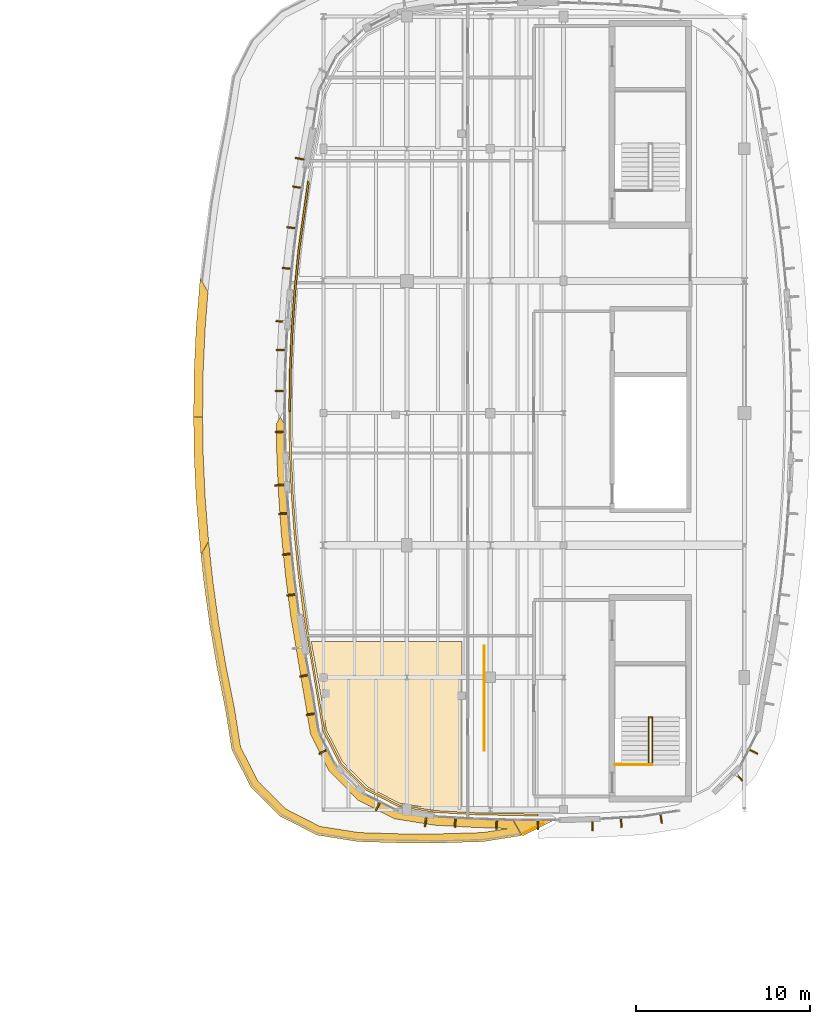
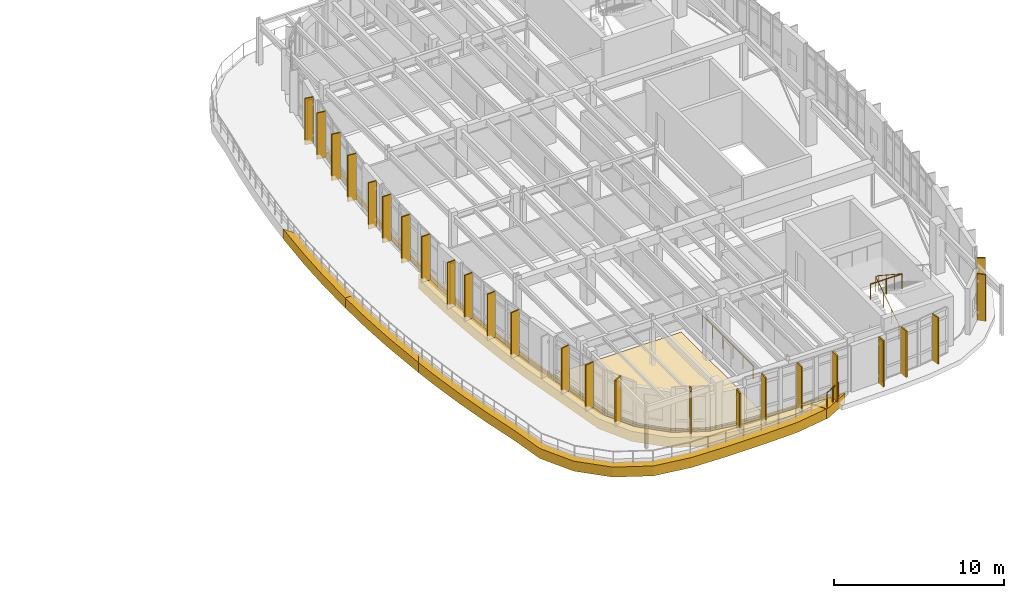
# One storey, part 27 of 30: 33 coverings, 6 shading devices, 4 railings.
"""IFC4 building model written with IfcOpenShell, lengths in metres."""

from ifc_helpers import new_model, si_unit, direction, frame, origin, origin_2d, place, context, subcontext, project, spatial, polyline, rectangle, circle, outline, extrude, material, layer, layer_set, type_object, element, save


model = new_model("IFC4")

# Units and contexts
model_context = context("Model", 3, precision=1e-05, world=origin(), true_north=direction((0.0, 1.0)))
body_context = subcontext(model_context, "Body", "Model", "MODEL_VIEW")
ifc_project = project(units=[si_unit("LENGTHUNIT", "METRE"), si_unit("AREAUNIT", "SQUARE_METRE"), si_unit("VOLUMEUNIT", "CUBIC_METRE"), si_unit("PLANEANGLEUNIT", "RADIAN"), si_unit("MASSUNIT", "GRAM", prefix="KILO")], contexts=[model_context])

# Site, building, storey
site_placement = place(None, origin())
site = spatial("IfcSite", under=ifc_project, at=site_placement, CompositionType="ELEMENT")
building_placement = place(site_placement, origin())
building = spatial("IfcBuilding", under=site, at=building_placement, Name="Corveleigh Park Community Centre", CompositionType="ELEMENT")
storey_placement = place(building_placement, frame((0.0, 0.0, 12.60009765625)))
storey = spatial("IfcBuildingStorey", under=building, at=storey_placement, Name="L03", CompositionType="ELEMENT", Elevation=12.60009765625)

# Coverings
ifc_material_1 = material(Name="Warm buff ribbed architectural cladding", Category="masonry")
ifc_layer_1 = layer(ifc_material_1, 0.0849609375, Name="Warm buff ribbed architectural cladding", Category="masonry")
ifc_layer_set_1 = layer_set([ifc_layer_1], Name="Warm buff ribbed architectural cladding")
covering_type_1 = type_object("IfcCoveringType", Name="COV-CLD-BUF", PredefinedType="CLADDING", material=ifc_layer_set_1)
covering_1_placement = place(storey_placement, origin())
element("IfcCovering", 1, at=covering_1_placement, inside=storey, type_object=covering_type_1, Name="V4 L03 Brise-soleil blade 429", PredefinedType="CLADDING", context=body_context, shape_type="SweptSolid", body=[
    extrude(outline(polyline([(151.8359375, 58.14990234375), (151.7509765625, 58.155029296875), (151.718017578125, 57.575927734375), (151.802978515625, 57.571044921875), (151.8359375, 58.14990234375)])), origin(), (0.0, 0.0, 1.0), 3.3369140625),
])
covering_2_placement = place(storey_placement, origin())
element("IfcCovering", 2, at=covering_2_placement, inside=storey, type_object=covering_type_1, Name="V4 L03 Brise-soleil blade 430", PredefinedType="CLADDING", context=body_context, shape_type="SweptSolid", body=[
    extrude(outline(polyline([(154.2119140625, 58.050048828125), (154.126953125, 58.052001953125), (154.110107421875, 57.471923828125), (154.195068359375, 57.469970703125), (154.2119140625, 58.050048828125)])), origin(), (0.0, 0.0, 1.0), 3.3369140625),
])
covering_3_placement = place(storey_placement, origin())
element("IfcCovering", 3, at=covering_3_placement, inside=storey, type_object=covering_type_1, Name="V4 L03 Brise-soleil blade 431", PredefinedType="CLADDING", context=body_context, shape_type="SweptSolid", body=[
    extrude(outline(polyline([(156.593017578125, 58.01708984375), (156.508056640625, 58.01708984375), (156.508056640625, 57.43701171875), (156.593017578125, 57.43701171875), (156.593017578125, 58.01708984375)])), origin(), (0.0, 0.0, 1.0), 3.3369140625),
])
covering_4_placement = place(storey_placement, origin())
element("IfcCovering", 4, at=covering_4_placement, inside=storey, type_object=covering_type_1, Name="V4 L03 Brise-soleil blade 432", PredefinedType="CLADDING", context=body_context, shape_type="SweptSolid", body=[
    extrude(outline(polyline([(159.7099609375, 57.91796875), (159.625, 57.916015625), (159.639892578125, 57.381103515625), (159.72509765625, 57.384033203125), (159.7099609375, 57.91796875)])), origin(), (0.0, 0.0, 1.0), 3.35693359375),
])
covering_5_placement = place(storey_placement, origin())
element("IfcCovering", 5, at=covering_5_placement, inside=storey, type_object=covering_type_1, Name="V4 L03 Brise-soleil blade 433", PredefinedType="CLADDING", context=body_context, shape_type="SweptSolid", body=[
    extrude(outline(polyline([(161.34912109375, 58.155029296875), (161.263916015625, 58.14990234375), (161.297119140625, 57.571044921875), (161.382080078125, 57.575927734375), (161.34912109375, 58.155029296875)])), origin(), (0.0, 0.0, 1.0), 3.35693359375),
])
covering_6_placement = place(storey_placement, origin())
element("IfcCovering", 6, at=covering_6_placement, inside=storey, type_object=covering_type_1, Name="V4 L03 Brise-soleil blade 434", PredefinedType="CLADDING", context=body_context, shape_type="SweptSolid", body=[
    extrude(outline(polyline([(163.60888671875, 58.39599609375), (163.52490234375, 58.383056640625), (163.615966796875, 57.81005859375), (163.699951171875, 57.822998046875), (163.60888671875, 58.39599609375)])), origin(), (0.0, 0.0, 1.0), 3.35693359375),
])
covering_7_placement = place(storey_placement, origin())
element("IfcCovering", 7, at=covering_7_placement, inside=storey, type_object=covering_type_1, Name="V4 L03 Brise-soleil blade 435", PredefinedType="CLADDING", context=body_context, shape_type="SweptSolid", body=[
    extrude(outline(polyline([(167.943115234375, 60.675048828125), (167.883056640625, 60.614990234375), (168.261962890625, 60.237060546875), (168.322021484375, 60.297119140625), (167.943115234375, 60.675048828125)])), origin(), (0.0, 0.0, 1.0), 3.35693359375),
])
covering_8_placement = place(storey_placement, origin())
element("IfcCovering", 8, at=covering_8_placement, inside=storey, type_object=covering_type_1, Name="V4 L03 Brise-soleil blade 436", PredefinedType="CLADDING", context=body_context, shape_type="SweptSolid", body=[
    extrude(outline(polyline([(168.660888671875, 62.10791015625), (168.623046875, 62.032958984375), (169.139892578125, 61.76904296875), (169.177978515625, 61.844970703125), (168.660888671875, 62.10791015625)])), origin(), (0.0, 0.0, 1.0), 3.35693359375),
])
covering_9_placement = place(storey_placement, origin())
element("IfcCovering", 9, at=covering_9_placement, inside=storey, type_object=covering_type_1, Name="V4 L03 Brise-soleil blade 465", PredefinedType="CLADDING", context=body_context, shape_type="SweptSolid", body=[
    extrude(outline(polyline([(143.093994140625, 95.93408203125), (143.110107421875, 96.01806640625), (142.583984375, 96.115966796875), (142.568115234375, 96.031982421875), (143.093994140625, 95.93408203125)])), origin(), (0.0, 0.0, 1.0), 3.3369140625),
])
covering_10_placement = place(storey_placement, origin())
element("IfcCovering", 10, at=covering_10_placement, inside=storey, type_object=covering_type_1, Name="V4 L03 Brise-soleil blade 466", PredefinedType="CLADDING", context=body_context, shape_type="SweptSolid", body=[
    extrude(outline(polyline([(143.0009765625, 94.29296875), (143.013916015625, 94.376953125), (142.44091796875, 94.468017578125), (142.427978515625, 94.384033203125), (143.0009765625, 94.29296875)])), origin(), (0.0, 0.0, 1.0), 3.3369140625),
])
covering_11_placement = place(storey_placement, origin())
element("IfcCovering", 11, at=covering_11_placement, inside=storey, type_object=covering_type_1, Name="V4 L03 Brise-soleil blade 467", PredefinedType="CLADDING", context=body_context, shape_type="SweptSolid", body=[
    extrude(outline(polyline([(142.669921875, 91.97412109375), (142.680908203125, 92.05810546875), (142.10595703125, 92.132080078125), (142.094970703125, 92.048095703125), (142.669921875, 91.97412109375)])), origin(), (0.0, 0.0, 1.0), 3.3369140625),
])
covering_12_placement = place(storey_placement, origin())
element("IfcCovering", 12, at=covering_12_placement, inside=storey, type_object=covering_type_1, Name="V4 L03 Brise-soleil blade 468", PredefinedType="CLADDING", context=body_context, shape_type="SweptSolid", body=[
    extrude(outline(polyline([(142.406005859375, 89.64501953125), (142.4150390625, 89.72998046875), (141.8369140625, 89.787109375), (141.8291015625, 89.702880859375), (142.406005859375, 89.64501953125)])), origin(), (0.0, 0.0, 1.0), 3.3369140625),
])
covering_13_placement = place(storey_placement, origin())
element("IfcCovering", 13, at=covering_13_placement, inside=storey, type_object=covering_type_1, Name="V4 L03 Brise-soleil blade 469", PredefinedType="CLADDING", context=body_context, shape_type="SweptSolid", body=[
    extrude(outline(polyline([(142.0029296875, 86.610107421875), (142.009033203125, 86.695068359375), (141.47509765625, 86.73193359375), (141.468994140625, 86.64794921875), (142.0029296875, 86.610107421875)])), origin(), (0.0, 0.0, 1.0), 3.3369140625),
])
covering_14_placement = place(storey_placement, origin())
element("IfcCovering", 14, at=covering_14_placement, inside=storey, type_object=covering_type_1, Name="V4 L03 Brise-soleil blade 470", PredefinedType="CLADDING", context=body_context, shape_type="SweptSolid", body=[
    extrude(outline(polyline([(142.075927734375, 84.970947265625), (142.080078125, 85.055908203125), (141.5, 85.0810546875), (141.4970703125, 84.99609375), (142.075927734375, 84.970947265625)])), origin(), (0.0, 0.0, 1.0), 3.3369140625),
])
covering_15_placement = place(storey_placement, origin())
element("IfcCovering", 15, at=covering_15_placement, inside=storey, type_object=covering_type_1, Name="V4 L03 Brise-soleil blade 471", PredefinedType="CLADDING", context=body_context, shape_type="SweptSolid", body=[
    extrude(outline(polyline([(142.010986328125, 82.62890625), (142.011962890625, 82.714111328125), (141.431884765625, 82.721923828125), (141.430908203125, 82.636962890625), (142.010986328125, 82.62890625)])), origin(), (0.0, 0.0, 1.0), 3.3369140625),
])
covering_16_placement = place(storey_placement, origin())
element("IfcCovering", 16, at=covering_16_placement, inside=storey, type_object=covering_type_1, Name="V4 L03 Brise-soleil blade 472", PredefinedType="CLADDING", context=body_context, shape_type="SweptSolid", body=[
    extrude(outline(polyline([(142.011962890625, 80.285888671875), (142.010986328125, 80.37109375), (141.430908203125, 80.363037109375), (141.431884765625, 80.278076171875), (142.011962890625, 80.285888671875)])), origin(), (0.0, 0.0, 1.0), 3.3369140625),
])
covering_17_placement = place(storey_placement, origin())
element("IfcCovering", 17, at=covering_17_placement, inside=storey, type_object=covering_type_1, Name="V4 L03 Brise-soleil blade 473", PredefinedType="CLADDING", context=body_context, shape_type="SweptSolid", body=[
    extrude(outline(polyline([(141.946044921875, 77.22509765625), (141.94189453125, 77.31005859375), (141.406982421875, 77.287109375), (141.410888671875, 77.201904296875), (141.946044921875, 77.22509765625)])), origin(), (0.0, 0.0, 1.0), 3.3369140625),
])
covering_18_placement = place(storey_placement, origin())
element("IfcCovering", 18, at=covering_18_placement, inside=storey, type_object=covering_type_1, Name="V4 L03 Brise-soleil blade 474", PredefinedType="CLADDING", context=body_context, shape_type="SweptSolid", body=[
    extrude(outline(polyline([(142.214111328125, 75.60498046875), (142.2080078125, 75.68994140625), (141.62890625, 75.64892578125), (141.635009765625, 75.56396484375), (142.214111328125, 75.60498046875)])), origin(), (0.0, 0.0, 1.0), 3.3369140625),
])
covering_19_placement = place(storey_placement, origin())
element("IfcCovering", 19, at=covering_19_placement, inside=storey, type_object=covering_type_1, Name="V4 L03 Brise-soleil blade 475", PredefinedType="CLADDING", context=body_context, shape_type="SweptSolid", body=[
    extrude(outline(polyline([(142.4150390625, 73.27001953125), (142.406005859375, 73.35498046875), (141.8291015625, 73.297119140625), (141.8369140625, 73.212890625), (142.4150390625, 73.27001953125)])), origin(), (0.0, 0.0, 1.0), 3.3369140625),
])
covering_20_placement = place(storey_placement, origin())
element("IfcCovering", 20, at=covering_20_placement, inside=storey, type_object=covering_type_1, Name="V4 L03 Brise-soleil blade 476", PredefinedType="CLADDING", context=body_context, shape_type="SweptSolid", body=[
    extrude(outline(polyline([(142.680908203125, 70.94189453125), (142.669921875, 71.02587890625), (142.094970703125, 70.951904296875), (142.10595703125, 70.867919921875), (142.680908203125, 70.94189453125)])), origin(), (0.0, 0.0, 1.0), 3.3369140625),
])
covering_21_placement = place(storey_placement, origin())
element("IfcCovering", 21, at=covering_21_placement, inside=storey, type_object=covering_type_1, Name="V4 L03 Brise-soleil blade 478", PredefinedType="CLADDING", context=body_context, shape_type="SweptSolid", body=[
    extrude(outline(polyline([(143.412109375, 66.31396484375), (143.39697265625, 66.39697265625), (142.826904296875, 66.291015625), (142.842041015625, 66.2080078125), (143.412109375, 66.31396484375)])), origin(), (0.0, 0.0, 1.0), 3.3369140625),
])
covering_22_placement = place(storey_placement, origin())
element("IfcCovering", 22, at=covering_22_placement, inside=storey, type_object=covering_type_1, Name="V4 L03 Brise-soleil blade 479", PredefinedType="CLADDING", context=body_context, shape_type="SweptSolid", body=[
    extrude(outline(polyline([(143.794921875, 64.093994140625), (143.781982421875, 64.177978515625), (143.208984375, 64.0869140625), (143.222900390625, 64.0029296875), (143.794921875, 64.093994140625)])), origin(), (0.0, 0.0, 1.0), 3.3369140625),
])
covering_23_placement = place(storey_placement, origin())
element("IfcCovering", 23, at=covering_23_placement, inside=storey, type_object=covering_type_1, Name="V4 L03 Brise-soleil blade 480", PredefinedType="CLADDING", context=body_context, shape_type="SweptSolid", body=[
    extrude(outline(polyline([(144.47705078125, 62.032958984375), (144.43896484375, 62.10791015625), (143.922119140625, 61.844970703125), (143.9599609375, 61.76904296875), (144.47705078125, 62.032958984375)])), origin(), (0.0, 0.0, 1.0), 3.3369140625),
])
covering_24_placement = place(storey_placement, origin())
element("IfcCovering", 24, at=covering_24_placement, inside=storey, type_object=covering_type_1, Name="V4 L03 Brise-soleil blade 481", PredefinedType="CLADDING", context=body_context, shape_type="SweptSolid", body=[
    extrude(outline(polyline([(147.508056640625, 59.0390625), (147.43310546875, 59.076904296875), (147.1689453125, 58.56005859375), (147.2451171875, 58.52197265625), (147.508056640625, 59.0390625)])), origin(), (0.0, 0.0, 1.0), 3.3369140625),
])
covering_25_placement = place(storey_placement, origin())
element("IfcCovering", 25, at=covering_25_placement, inside=storey, type_object=covering_type_1, Name="V4 L03 Brise-soleil blade 482", PredefinedType="CLADDING", context=body_context, shape_type="SweptSolid", body=[
    extrude(outline(polyline([(150.159912109375, 58.133056640625), (150.075927734375, 58.14697265625), (149.992919921875, 57.617919921875), (150.076904296875, 57.60498046875), (150.159912109375, 58.133056640625)])), origin(), (0.0, 0.0, 1.0), 2.7919921875),
])
ifc_material_2 = material(Name="White architectural fascia cladding", Category="masonry")
ifc_layer_2 = layer(ifc_material_2, 0.074951171875, Name="White architectural fascia cladding", Category="masonry")
ifc_layer_set_2 = layer_set([ifc_layer_2], Name="White architectural fascia cladding")
covering_type_2 = type_object("IfcCoveringType", Name="COV-CLD-WHT", PredefinedType="CLADDING", material=ifc_layer_set_2)
covering_26_placement = place(storey_placement, frame((0.0, 0.0, -0.68017578125)))
element("IfcCovering", 26, at=covering_26_placement, inside=storey, type_object=covering_type_2, Name="Step 3 Craft and Study Terrace Sweeping White Edge Band 2", PredefinedType="CLADDING", context=body_context, shape_type="SweptSolid", body=[
    extrude(outline(polyline([(136.73388671875, 81.174072265625), (136.76904296875, 83.847900390625), (136.881103515625, 86.29296875), (137.112060546875, 89.14404296875), (137.56201171875, 88.366943359375), (137.39990234375, 86.261962890625), (137.2890625, 83.83203125), (137.2548828125, 81.174072265625), (136.73388671875, 81.174072265625)])), origin(), (0.0, 0.0, 1.0), 0.719970703125),
])
covering_27_placement = place(storey_placement, frame((0.0, 0.0, -0.68017578125)))
element("IfcCovering", 27, at=covering_27_placement, inside=storey, type_object=covering_type_2, Name="Step 3 Craft and Study Terrace Sweeping White Edge Band 3", PredefinedType="CLADDING", context=body_context, shape_type="SweptSolid", body=[
    extrude(outline(polyline([(137.154052734375, 73.27099609375), (136.881103515625, 76.507080078125), (136.76904296875, 78.950927734375), (136.735107421875, 81.1689453125), (137.2548828125, 81.169921875), (137.2890625, 78.968017578125), (137.39990234375, 76.5380859375), (137.594970703125, 74.033935546875), (137.154052734375, 73.27099609375)])), origin(), (0.0, 0.0, 1.0), 0.719970703125),
])
covering_28_placement = place(storey_placement, frame((0.0, 0.0, -0.68017578125)))
element("IfcCovering", 28, at=covering_28_placement, inside=storey, type_object=covering_type_2, Name="Step 3 Craft and Study Terrace Sweeping White Edge Band 4", PredefinedType="CLADDING", context=body_context, shape_type="SweptSolid", body=[
    extrude(outline(polyline([(153.406005859375, 56.760009765625), (151.0, 56.68896484375), (148.59912109375, 56.68896484375), (146.198974609375, 56.760009765625), (143.839111328125, 57.134033203125), (141.705078125, 58.222900390625), (140.01904296875, 59.908935546875), (138.93603515625, 62.032958984375), (138.56103515625, 64.39306640625), (138.076904296875, 66.7919921875), (137.6669921875, 69.2041015625), (137.330078125, 71.631103515625), (137.155029296875, 73.256103515625), (137.595947265625, 74.02001953125), (137.845947265625, 71.694091796875), (138.179931640625, 69.283935546875), (138.587890625, 66.886962890625), (139.073974609375, 64.47509765625), (139.43408203125, 62.200927734375), (140.444091796875, 60.218994140625), (142.01904296875, 58.64404296875), (144.0009765625, 57.634033203125), (146.2451171875, 57.279052734375), (148.60693359375, 57.208984375), (150.992919921875, 57.208984375), (153.35498046875, 57.279052734375), (154.85400390625, 57.51611328125), (152.950927734375, 57.571044921875), (150.572021484375, 57.7060546875), (148.284912109375, 58.072998046875), (146.195068359375, 59.136962890625), (144.49609375, 60.861083984375), (143.4560546875, 62.9541015625), (142.31396484375, 69.756103515625), (142.01611328125, 72.08203125), (141.781005859375, 74.427978515625), (141.613037109375, 76.7939453125), (141.512939453125, 79.135986328125), (141.489990234375, 80.77294921875), (141.719970703125, 81.172119140625), (142.011962890625, 80.6669921875), (142.032958984375, 79.156982421875), (142.133056640625, 76.81591796875), (142.299072265625, 74.47900390625), (142.531982421875, 72.14794921875), (142.830078125, 69.822998046875), (143.967041015625, 63.0458984375), (144.95703125, 61.10302734375), (146.5009765625, 59.55810546875), (148.446044921875, 58.568115234375), (150.60302734375, 58.22509765625), (152.97998046875, 58.090087890625), (155.06591796875, 58.030029296875), (155.597900390625, 57.10791015625), (153.406005859375, 56.760009765625)])), origin(), (0.0, 0.0, 1.0), 0.719970703125),
])
covering_29_placement = place(storey_placement, frame((0.0, 0.0, -0.68017578125)))
element("IfcCovering", 29, at=covering_29_placement, inside=storey, type_object=covering_type_2, Name="Step 3 Craft and Study Terrace Sweeping White Edge Band 5", PredefinedType="CLADDING", context=body_context, shape_type="SweptSolid", body=[
    extrude(outline(polyline([(155.7548828125, 57.132080078125), (155.626953125, 57.112060546875), (155.096923828125, 58.029052734375), (157.375, 57.9990234375), (157.35693359375, 57.946044921875), (155.7548828125, 57.132080078125)])), origin(), (0.0, 0.0, 1.0), 0.719970703125),
])
covering_30_placement = place(storey_placement, frame((0.0, 0.0, -0.300048828125)))
element("IfcCovering", 30, at=covering_30_placement, inside=storey, type_object=covering_type_2, Name="V4 L03 Horizontal Sun-Hood 4", PredefinedType="CLADDING", context=body_context, shape_type="SweptSolid", body=[
    extrude(outline(polyline([(142.242919921875, 83.8369140625), (142.343017578125, 86.172119140625), (142.508056640625, 88.5029296875), (142.739990234375, 90.8291015625), (143.2900390625, 94.7470703125), (143.389892578125, 94.64599609375), (142.85498046875, 90.81591796875), (142.623046875, 88.492919921875), (142.45703125, 86.1650390625), (142.35791015625, 83.833984375), (142.324951171875, 81.507080078125), (142.2099609375, 81.507080078125), (142.242919921875, 83.8369140625)])), origin(), (0.0, 0.0, 1.0), 0.33984375),
])
covering_31_placement = place(storey_placement, frame((0.0, 0.0, -0.300048828125)))
element("IfcCovering", 31, at=covering_31_placement, inside=storey, type_object=covering_type_2, Name="V4 L03 Horizontal Sun-Hood 5", PredefinedType="CLADDING", context=body_context, shape_type="SweptSolid", body=[
    extrude(outline(polyline([(143.037109375, 69.85400390625), (142.739990234375, 72.1708984375), (142.508056640625, 74.4970703125), (142.343017578125, 76.827880859375), (142.242919921875, 79.1630859375), (142.2099609375, 81.492919921875), (142.324951171875, 81.492919921875), (142.35791015625, 79.166015625), (142.45703125, 76.8349609375), (142.623046875, 74.507080078125), (142.85498046875, 72.18408203125), (143.389892578125, 68.35400390625), (143.303955078125, 68.26708984375), (143.037109375, 69.85400390625)])), origin(), (0.0, 0.0, 1.0), 0.33984375),
])
covering_32_placement = place(storey_placement, frame((0.0, 0.0, -0.300048828125)))
element("IfcCovering", 32, at=covering_32_placement, inside=storey, type_object=covering_type_2, Name="V4 L03 Horizontal Sun-Hood 6", PredefinedType="CLADDING", context=body_context, shape_type="SweptSolid", body=[
    extrude(outline(polyline([(156.5380859375, 58.23193359375), (152.989013671875, 58.300048828125), (150.6259765625, 58.43408203125), (148.510986328125, 58.77001953125), (146.6259765625, 59.72998046875), (145.12890625, 61.22802734375), (144.1689453125, 63.112060546875), (143.30810546875, 68.243896484375), (143.39404296875, 68.3310546875), (144.280029296875, 63.14697265625), (145.22412109375, 61.2939453125), (146.694091796875, 59.823974609375), (148.547119140625, 58.8798828125), (150.636962890625, 58.548095703125), (152.992919921875, 58.4150390625), (156.5380859375, 58.346923828125), (156.5380859375, 58.23193359375)])), origin(), (0.0, 0.0, 1.0), 0.33984375),
])
ifc_material_3 = material(Name="Acoustic linoleum flooring", Category="wood")
ifc_layer_3 = layer(ifc_material_3, 0.02490234375, Name="Acoustic linoleum flooring", Category="wood")
ifc_layer_set_3 = layer_set([ifc_layer_3], Name="Acoustic linoleum flooring")
covering_type_3 = type_object("IfcCoveringType", Name="COV-FLR-LIN", PredefinedType="FLOORING", material=ifc_layer_set_3)
covering_33_placement = place(storey_placement, origin())
element("IfcCovering", 33, at=covering_33_placement, inside=storey, type_object=covering_type_3, Name="Quiet Study Library flooring", PredefinedType="FLOORING", context=body_context, shape_type="SweptSolid", body=[
    extrude(outline(polyline([(152.159912109375, 58.552001953125), (150.64697265625, 58.637939453125), (148.574951171875, 58.967041015625), (146.748046875, 59.89697265625), (145.297119140625, 61.347900390625), (144.366943359375, 63.175048828125), (144.033935546875, 65.27197265625), (143.49609375, 68.260009765625), (152.159912109375, 68.260009765625), (152.159912109375, 58.552001953125)])), origin(), (0.0, 0.0, 1.0), 0.02490234375),
])

# Railings
ifc_material_4 = material(Name="Stainless steel 316 balustrade", Category="steel")
railing_type_1 = type_object("IfcRailingType", Name="RLG-BAL-EXT-1100", PredefinedType="BALUSTRADE", material=ifc_material_4)
railing_1_placement = place(storey_placement, frame((156.839111328125, 57.81689453125, 0.0)))
element("IfcRailing", 34, at=railing_1_placement, inside=storey, type_object=railing_type_1, Name="Step 3 Craft and Study Terrace guard 14", PredefinedType="BALUSTRADE", context=body_context, shape_type="SweptSolid", body=[
    extrude(circle(Radius=0.02392578125, at=origin_2d()), frame((0.0, 0.0, 1.076171875), z_axis=(-0.891085651218, -0.453835170732, 0.0), x_axis=(0.453835170732, -0.891085651218, 0.0)), (0.0, 0.0, 1.0), 1.251220703125),
    extrude(circle(Radius=0.02099609375, at=origin_2d()), origin(), (0.0, 0.0, 1.0), 1.052001953125),
    extrude(circle(Radius=0.02099609375, at=origin_2d()), frame((-0.5576171875, -0.283935546875, 0.0)), (0.0, 0.0, 1.0), 1.052001953125),
    extrude(circle(Radius=0.02099609375, at=origin_2d()), frame((-1.114990234375, -0.56787109375, 0.0)), (0.0, 0.0, 1.0), 1.052001953125),
])
railing_type_2 = type_object("IfcRailingType", Name="RLG-BAL-INT-1100", PredefinedType="BALUSTRADE", material=ifc_material_4)
railing_2_placement = place(storey_placement, frame((162.89990234375, 61.179931640625, 0.0)))
element("IfcRailing", 35, at=railing_2_placement, inside=storey, type_object=railing_type_2, Name="Stair ST1 inner guard L03", PredefinedType="BALUSTRADE", context=body_context, shape_type="SweptSolid", body=[
    extrude(circle(Radius=0.02392578125, at=origin_2d()), frame((0.0, 0.0, 1.076171875), z_axis=(0.0, 0.83672874682, 0.547617571161), x_axis=(-1.0, 0.0, 0.0)), (0.0, 0.0, 1.0), 3.28662109375),
    extrude(circle(Radius=0.02392578125, at=origin_2d()), frame((0.0, 2.75, 2.8759765625), z_axis=(1.0, 0.0, 0.0), x_axis=(0.0, 1.0, 0.0)), (0.0, 0.0, 1.0), 0.2001953125),
    extrude(circle(Radius=0.02392578125, at=origin_2d()), frame((0.2001953125, 2.75, 2.8759765625), z_axis=(0.0, -0.836694709366, 0.547669574943), x_axis=(1.0, 0.0, 0.0)), (0.0, 0.0, 1.0), 3.28662109375),
    extrude(circle(Radius=0.02099609375, at=origin_2d()), origin(), (0.0, 0.0, 1.0), 1.052001953125),
    extrude(circle(Radius=0.02099609375, at=origin_2d()), frame((0.0, 0.916748046875, 0.599853515625)), (0.0, 0.0, 1.0), 1.052001953125),
    extrude(circle(Radius=0.02099609375, at=origin_2d()), frame((0.0, 1.833251953125, 1.199951171875)), (0.0, 0.0, 1.0), 1.052001953125),
    extrude(circle(Radius=0.02099609375, at=origin_2d()), frame((0.0, 2.75, 1.7998046875)), (0.0, 0.0, 1.0), 1.052001953125),
    extrude(circle(Radius=0.02099609375, at=origin_2d()), frame((0.2001953125, 2.75, 1.7998046875)), (0.0, 0.0, 1.0), 1.052001953125),
    extrude(circle(Radius=0.02099609375, at=origin_2d()), frame((0.2001953125, 1.833251953125, 2.39990234375)), (0.0, 0.0, 1.0), 1.052001953125),
    extrude(circle(Radius=0.02099609375, at=origin_2d()), frame((0.2001953125, 0.916748046875, 2.999755859375)), (0.0, 0.0, 1.0), 1.052001953125),
    extrude(circle(Radius=0.02099609375, at=origin_2d()), frame((0.2001953125, 0.0, 3.599853515625)), (0.0, 0.0, 1.0), 1.052001953125),
])
railing_3_placement = place(storey_placement, frame((160.967041015625, 61.179931640625, 3.599853515625)))
element("IfcRailing", 36, at=railing_3_placement, inside=storey, type_object=railing_type_2, Name="Stair ST1 landing guard L03", PredefinedType="BALUSTRADE", context=body_context, shape_type="SweptSolid", body=[
    extrude(circle(Radius=0.02392578125, at=origin_2d()), frame((0.0, 0.0, 1.076171875), z_axis=(1.0, 0.0, 0.0), x_axis=(0.0, 1.0, 0.0)), (0.0, 0.0, 1.0), 2.133056640625),
    extrude(circle(Radius=0.02099609375, at=origin_2d()), origin(), (0.0, 0.0, 1.0), 1.052001953125),
    extrude(circle(Radius=0.02099609375, at=origin_2d()), frame((1.06640625, 0.0, 0.0)), (0.0, 0.0, 1.0), 1.052001953125),
    extrude(circle(Radius=0.02099609375, at=origin_2d()), frame((2.133056640625, 0.0, 0.0)), (0.0, 0.0, 1.0), 1.052001953125),
])
ifc_material_5 = material(Name="Powder-coated aluminium handrail", Category="aluminium")
railing_type_3 = type_object("IfcRailingType", Name="RLG-HND-INT-950", PredefinedType="HANDRAIL", material=ifc_material_5)
railing_4_placement = place(storey_placement, frame((153.449951171875, 62.0, 0.0)))
element("IfcRailing", 37, at=railing_4_placement, inside=storey, type_object=railing_type_3, Name="Accessible corridor wall handrail L03", PredefinedType="HANDRAIL", context=body_context, shape_type="SweptSolid", body=[
    extrude(circle(Radius=0.02392578125, at=origin_2d()), frame((0.0, 0.0, 0.92578125), z_axis=(0.0, 1.0, 0.0), x_axis=(-1.0, 0.0, 0.0)), (0.0, 0.0, 1.0), 6.0),
    extrude(circle(Radius=0.02099609375, at=origin_2d()), origin(), (0.0, 0.0, 1.0), 0.90185546875),
    extrude(circle(Radius=0.02099609375, at=origin_2d()), frame((0.0, 1.199951171875, 0.0)), (0.0, 0.0, 1.0), 0.90185546875),
    extrude(circle(Radius=0.02099609375, at=origin_2d()), frame((0.0, 2.39990234375, 0.0)), (0.0, 0.0, 1.0), 0.90185546875),
    extrude(circle(Radius=0.02099609375, at=origin_2d()), frame((0.0, 3.60009765625, 0.0)), (0.0, 0.0, 1.0), 0.90185546875),
    extrude(circle(Radius=0.02099609375, at=origin_2d()), frame((0.0, 4.800048828125, 0.0)), (0.0, 0.0, 1.0), 0.90185546875),
    extrude(circle(Radius=0.02099609375, at=origin_2d()), frame((0.0, 6.0, 0.0)), (0.0, 0.0, 1.0), 0.90185546875),
])

# Shading devices
ifc_material_6 = material(Name="Terracotta-anodised aluminium fin", Category="masonry")
shading_device_type_1 = type_object("IfcShadingDeviceType", Name="SHD-FIN-TER-350", PredefinedType="USERDEFINED", material=ifc_material_6)
shading_device_1_placement = place(storey_placement, frame((159.673095703125, 57.72705078125, 0.25), z_axis=(0.0, 0.0, 1.0), x_axis=(0.028765070498, -0.999586199744, 0.0)))
element("IfcShadingDevice", 38, at=shading_device_1_placement, inside=storey, type_object=shading_device_type_1, Name="Terracotta brise-soleil fin 91", ObjectType="FIN", PredefinedType="USERDEFINED", context=body_context, shape_type="SweptSolid", body=[
    extrude(rectangle(XDim=0.35009765625, YDim=0.06005859375, at=origin_2d()), origin(), (0.0, 0.0, 1.0), 2.95703125),
])
for number, where, z_axis, x_axis, name in (
    (39, (142.9150390625, 96.010986328125, 0.25), (0.0, 0.0, 1.0), (-0.983076054762, 0.18319789997, 0.0), "Terracotta brise-soleil fin 101"),
    (40, (141.75390625, 77.259033203125, 0.25), (0.0, 0.0, 1.0), (-0.999074729961, -0.043007952221, 0.0), "Terracotta brise-soleil fin 103"),
):
    element("IfcShadingDevice", number, at=place(storey_placement, frame(where, z_axis=z_axis, x_axis=x_axis)), inside=storey, type_object=shading_device_type_1, Name=name, ObjectType="FIN", PredefinedType="USERDEFINED", context=body_context, shape_type="SweptSolid", body=[
        extrude(rectangle(XDim=0.35009765625, YDim=0.06005859375, at=origin_2d()), origin(), (0.0, 0.0, 1.0), 2.93701171875),
    ])
shading_device_2_placement = place(storey_placement, frame((150.089111328125, 57.951904296875, 0.249755859375), z_axis=(0.0, 0.0, 1.0), x_axis=(-0.156419486996, -0.987690712768, 0.0)))
element("IfcShadingDevice", 41, at=shading_device_2_placement, inside=storey, type_object=shading_device_type_1, Name="Terracotta brise-soleil fin 105", ObjectType="FIN", PredefinedType="USERDEFINED", context=body_context, shape_type="SweptSolid", body=[
    extrude(rectangle(XDim=0.35009765625, YDim=0.06005859375, at=origin_2d()), origin(), (0.0, 0.0, 1.0), 2.39208984375),
])
shading_device_type_2 = type_object("IfcShadingDeviceType", Name="SHD-FIN-TER-450", PredefinedType="USERDEFINED", material=ifc_material_6)
shading_device_3_placement = place(storey_placement, frame((168.048095703125, 60.510986328125, 0.25), z_axis=(0.0, 0.0, 1.0), x_axis=(0.707106781187, -0.707106781187, 0.0)))
element("IfcShadingDevice", 42, at=shading_device_3_placement, inside=storey, type_object=shading_device_type_2, Name="Terracotta brise-soleil fin 92", ObjectType="FIN", PredefinedType="USERDEFINED", context=body_context, shape_type="SweptSolid", body=[
    extrude(rectangle(XDim=0.449951171875, YDim=0.06494140625, at=origin_2d()), origin(), (0.0, 0.0, 1.0), 2.95703125),
])
shading_device_4_placement = place(storey_placement, frame((141.81689453125, 86.666015625, 0.25), z_axis=(0.0, 0.0, 1.0), x_axis=(-0.997510811359, 0.070513695282, 0.0)))
element("IfcShadingDevice", 43, at=shading_device_4_placement, inside=storey, type_object=shading_device_type_2, Name="Terracotta brise-soleil fin 102", ObjectType="FIN", PredefinedType="USERDEFINED", context=body_context, shape_type="SweptSolid", body=[
    extrude(rectangle(XDim=0.449951171875, YDim=0.06494140625, at=origin_2d()), origin(), (0.0, 0.0, 1.0), 2.93701171875),
])

save(model, "model.ifc")
